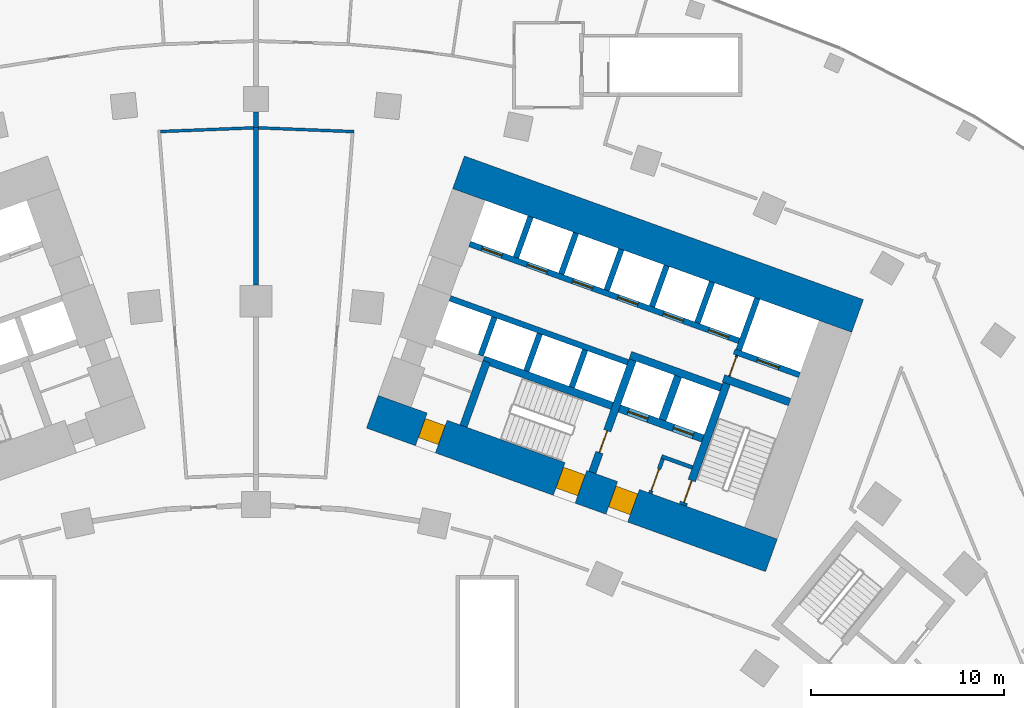
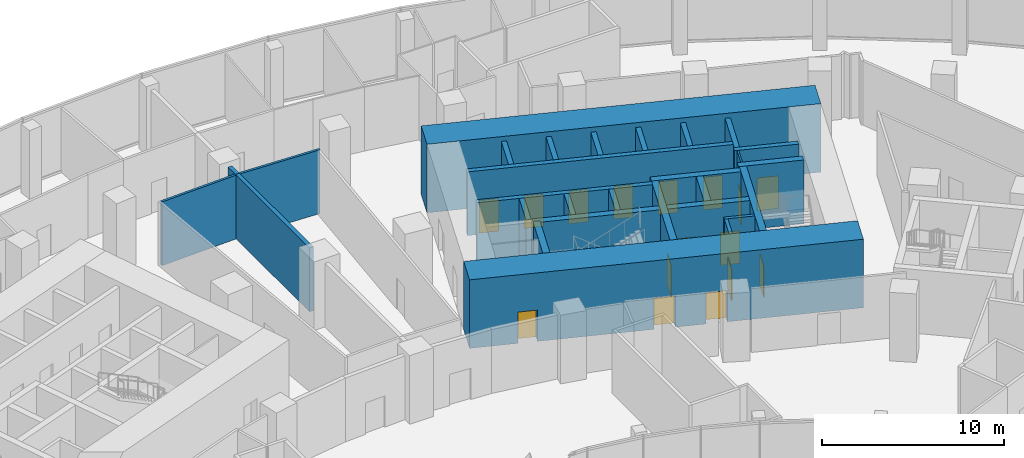
# One storey, part 27 of 33: 28 walls, 16 doors, 16 openings.
"""IFC4 building model written with IfcOpenShell, lengths in metres."""

from ifc_helpers import new_model, si_unit, direction, frame, frame_2d, origin, place, context, subcontext, project, spatial, rectangle, extrude, material, layer, layer_set, type_object, element, fill, save


model = new_model("IFC4")

# Units and contexts
model_context = context("Model", 3, precision=1e-05, world=origin(), true_north=direction((0.0, 1.0)))
body_context = subcontext(model_context, "Body", "Model", "MODEL_VIEW")
ifc_project = project(units=[si_unit("LENGTHUNIT", "METRE"), si_unit("AREAUNIT", "SQUARE_METRE"), si_unit("VOLUMEUNIT", "CUBIC_METRE"), si_unit("PLANEANGLEUNIT", "RADIAN"), si_unit("MASSUNIT", "GRAM", prefix="KILO")], contexts=[model_context])

# Site, building, storey
site_placement = place(None, origin())
site = spatial("IfcSite", under=ifc_project, at=site_placement, CompositionType="ELEMENT")
building_placement = place(site_placement, origin())
building = spatial("IfcBuilding", under=site, at=building_placement, Name="Stone Belt Terrace Tower", CompositionType="ELEMENT")
storey_placement = place(building_placement, frame((0.0, 0.0, 25.39990234375)))
storey = spatial("IfcBuildingStorey", under=building, at=storey_placement, Name="L05", CompositionType="ELEMENT", Elevation=25.39990234375)

# Wall
ifc_material_1 = material(Name="Concrete B30", Category="concrete")
ifc_layer_1 = layer(ifc_material_1, 0.25)
ifc_layer_set_1 = layer_set([ifc_layer_1], Name="Compartment wall 250")
wall_type_1 = type_object("IfcWallType", Name="Compartment wall 250", PredefinedType="SOLIDWALL", material=ifc_layer_set_1)
wall_1_placement = place(storey_placement, frame((0.0, 55.844970703125, 0.0), z_axis=(0.0, 0.0, 1.0), x_axis=(0.0, 1.0, 0.0)))
element("IfcWall", 1, at=wall_1_placement, inside=storey, type_object=wall_type_1, Name="Compartment wall L05 8", PredefinedType="SOLIDWALL", context=body_context, shape_type="SweptSolid", body=[
    extrude(rectangle(XDim=8.155029296875, YDim=0.25, at=frame_2d((4.07763671875, 0.0))), origin(), (0.0, 0.0, 1.0), 4.280029296875),
])

# Wall, opening, door
ifc_material_2 = material(Name="Plasterboard partition")
ifc_layer_2 = layer(ifc_material_2, 0.10009765625)
ifc_layer_set_2 = layer_set([ifc_layer_2], Name="Core partition 100")
wall_type_2 = type_object("IfcWallType", Name="Core partition 100", PredefinedType="PARTITIONING", material=ifc_layer_set_2)
wall_2_placement = place(storey_placement, frame((24.555908203125, 51.10400390625, 0.0), z_axis=(0.0, 0.0, 1.0), x_axis=(0.338621735342, 0.94092258999, 0.0)))
wall_2 = element("IfcWall", 2, at=wall_2_placement, inside=storey, type_object=wall_type_2, Name="Core B wall", PredefinedType="PARTITIONING", context=body_context, shape_type="SweptSolid", body=[
    extrude(rectangle(XDim=1.14990234375, YDim=0.10009765625, at=frame_2d((0.574951171875, 0.0))), origin(), (0.0, 0.0, 1.0), 4.280029296875),
])
opening_1_placement = place(wall_2_placement, frame((0.050048828125, 0.0, 0.0)))
opening_1 = element("IfcOpeningElement", 3, at=opening_1_placement, cuts=wall_2, Name="Opening L05-C10", PredefinedType="OPENING", context=body_context, shape_type="SweptSolid", body=[
    extrude(rectangle(XDim=1.0, YDim=2.10009765625, at=frame_2d((0.5, 1.050048828125))), frame((0.0, 0.06005859375, 0.0), z_axis=(0.0, -1.0, 0.0), x_axis=(1.0, 0.0, 0.0)), (0.0, 0.0, 1.0), 0.1201171875),
])
ifc_material_3 = material(Name="Timber door leaf", Category="wood")
door_type_1 = type_object("IfcDoorType", Name="Core room door 1000", OperationType="SINGLE_SWING_LEFT", PredefinedType="DOOR", material=ifc_material_3)
door_1_placement = place(opening_1_placement, origin())
door_1 = element("IfcDoor", 4, at=door_1_placement, inside=storey, type_object=door_type_1, Name="Service lift lobby door core B", OperationType="SINGLE_SWING_LEFT", OverallHeight=2.10009765625, OverallWidth=1.0, PredefinedType="DOOR", context=body_context, shape_type="SweptSolid", body=[
    extrude(rectangle(XDim=1.0, YDim=2.10009765625, at=frame_2d((0.5, 1.050048828125))), frame((0.0, 0.02490234375, 0.0), z_axis=(0.0, -1.0, 0.0), x_axis=(1.0, 0.0, 0.0)), (0.0, 0.0, 1.0), 0.050048828125),
])
fill(opening_1, door_1)

# Wall, openings, doors
ifc_material_4 = material(Name="Concrete B80", Category="concrete")
ifc_layer_3 = layer(ifc_material_4, 1.800048828125)
ifc_layer_set_3 = layer_set([ifc_layer_3], Name="Core wall 1800 B80")
wall_type_3 = type_object("IfcWallType", Name="Core wall 1800 B80", PredefinedType="SHEAR", material=ifc_layer_set_3)
wall_3_placement = place(storey_placement, frame((6.039306640625, 49.265380859375, 0.0), z_axis=(0.0, 0.0, 1.0), x_axis=(0.940921642213, -0.338624368902, 0.0)))
wall_3 = element("IfcWall", 5, at=wall_3_placement, inside=storey, type_object=wall_type_3, Name="Core B wall concave L05", PredefinedType="SHEAR", context=body_context, shape_type="SweptSolid", body=[
    extrude(rectangle(XDim=22.0, YDim=1.800048828125, at=frame_2d((11.0, 0.0))), origin(), (0.0, 0.0, 1.0), 4.60009765625),
])
opening_2_placement = place(wall_3_placement, frame((13.199951171875, 0.0, 0.0)))
opening_2 = element("IfcOpeningElement", 6, at=opening_2_placement, cuts=wall_3, Name="Opening L05-C14", PredefinedType="OPENING", context=body_context, shape_type="SweptSolid", body=[
    extrude(rectangle(XDim=1.199951171875, YDim=2.10009765625, at=frame_2d((0.60009765625, 1.050048828125))), frame((0.0, 0.909912109375, 0.0), z_axis=(0.0, -1.0, 0.0), x_axis=(1.0, 0.0, 0.0)), (0.0, 0.0, 1.0), 1.820068359375),
])
opening_3_placement = place(wall_3_placement, frame((10.300048828125, 0.0, 0.0)))
opening_3 = element("IfcOpeningElement", 7, at=opening_3_placement, cuts=wall_3, Name="Opening L05-C16", PredefinedType="OPENING", context=body_context, shape_type="SweptSolid", body=[
    extrude(rectangle(XDim=1.199951171875, YDim=2.10009765625, at=frame_2d((0.60009765625, 1.050048828125))), frame((0.0, 0.909912109375, 0.0), z_axis=(0.0, -1.0, 0.0), x_axis=(1.0, 0.0, 0.0)), (0.0, 0.0, 1.0), 1.820068359375),
])
opening_4_placement = place(wall_3_placement, frame((2.699951171875, 0.0, 0.0)))
opening_4 = element("IfcOpeningElement", 8, at=opening_4_placement, cuts=wall_3, Name="Opening L05-C18", PredefinedType="OPENING", context=body_context, shape_type="SweptSolid", body=[
    extrude(rectangle(XDim=1.10009765625, YDim=2.10009765625, at=frame_2d((0.550048828125, 1.050048828125))), frame((0.0, 0.909912109375, 0.0), z_axis=(0.0, -1.0, 0.0), x_axis=(1.0, 0.0, 0.0)), (0.0, 0.0, 1.0), 1.820068359375),
])
door_type_2 = type_object("IfcDoorType", Name="Core room door 1100", OperationType="SINGLE_SWING_LEFT", PredefinedType="DOOR", material=ifc_material_3)
door_2_placement = place(opening_4_placement, origin())
door_2 = element("IfcDoor", 9, at=door_2_placement, inside=storey, type_object=door_type_2, Name="Door to Cleaner's store core B", OperationType="SINGLE_SWING_LEFT", OverallHeight=2.10009765625, OverallWidth=1.10009765625, PredefinedType="DOOR", context=body_context, shape_type="SweptSolid", body=[
    extrude(rectangle(XDim=1.10009765625, YDim=2.10009765625, at=frame_2d((0.550048828125, 1.050048828125))), frame((0.0, 0.60498046875, 0.0), z_axis=(0.0, -1.0, 0.0), x_axis=(1.0, 0.0, 0.0)), (0.0, 0.0, 1.0), 1.050048828125),
])
fill(opening_4, door_2)
ifc_material_5 = material(Name="Steel door leaf", Category="steel")
door_type_3 = type_object("IfcDoorType", Name="Fire-fighting lobby door 1200", OperationType="SINGLE_SWING_LEFT", PredefinedType="DOOR", material=ifc_material_5)
door_3_placement = place(opening_2_placement, origin())
door_3 = element("IfcDoor", 10, at=door_3_placement, inside=storey, type_object=door_type_3, Name="Fire-fighting lobby door core B", OperationType="SINGLE_SWING_LEFT", OverallHeight=2.10009765625, OverallWidth=1.199951171875, PredefinedType="DOOR", context=body_context, shape_type="SweptSolid", body=[
    extrude(rectangle(XDim=1.199951171875, YDim=2.10009765625, at=frame_2d((0.60009765625, 1.050048828125))), frame((0.0, 0.655029296875, 0.0), z_axis=(0.0, -1.0, 0.0), x_axis=(1.0, 0.0, 0.0)), (0.0, 0.0, 1.0), 1.14990234375),
])
fill(opening_2, door_3)
door_type_4 = type_object("IfcDoorType", Name="Stair door 1200", OperationType="SINGLE_SWING_LEFT", PredefinedType="DOOR", material=ifc_material_5)
door_4_placement = place(opening_3_placement, origin())
door_4 = element("IfcDoor", 11, at=door_4_placement, inside=storey, type_object=door_type_4, Name="Stair 2 exit door core B", OperationType="SINGLE_SWING_RIGHT", OverallHeight=2.10009765625, OverallWidth=1.199951171875, PredefinedType="DOOR", context=body_context, shape_type="SweptSolid", body=[
    extrude(rectangle(XDim=1.199951171875, YDim=2.10009765625, at=frame_2d((0.60009765625, 1.050048828125))), frame((0.0, 0.655029296875, 0.0), z_axis=(0.0, -1.0, 0.0), x_axis=(1.0, 0.0, 0.0)), (0.0, 0.0, 1.0), 1.14990234375),
])
fill(opening_3, door_4)

# Walls
wall_4_placement = place(storey_placement, frame((10.509033203125, 61.685546875, 0.0), z_axis=(0.0, 0.0, 1.0), x_axis=(0.940922914687, -0.338620833112, 0.0)))
element("IfcWall", 12, at=wall_4_placement, inside=storey, type_object=wall_type_3, Name="Core B wall convex L05", PredefinedType="SHEAR", context=body_context, shape_type="SweptSolid", body=[
    extrude(rectangle(XDim=22.000244140625, YDim=1.800048828125, at=frame_2d((11.0, 0.0))), origin(), (0.0, 0.0, 1.0), 4.60009765625),
])
ifc_layer_4 = layer(ifc_material_4, 0.39990234375)
ifc_layer_set_4 = layer_set([ifc_layer_4], Name="Fire-fighting lift shaft wall 400")
wall_type_4 = type_object("IfcWallType", Name="Fire-fighting lift shaft wall 400", PredefinedType="SHEAR", material=ifc_layer_set_4)
wall_5_placement = place(storey_placement, frame((24.130615234375, 50.512939453125, 0.0), z_axis=(0.0, 0.0, 1.0), x_axis=(-0.94091168377, 0.338652038744, 0.0)))
element("IfcWall", 13, at=wall_5_placement, inside=storey, type_object=wall_type_4, Name="Core B wall", PredefinedType="SHEAR", context=body_context, shape_type="SweptSolid", body=[
    extrude(rectangle(XDim=5.000244140625, YDim=0.39990234375, at=frame_2d((2.5, 0.0))), origin(), (0.0, 0.0, 1.0), 4.280029296875),
])
wall_6_placement = place(storey_placement, frame((21.0859375, 48.845458984375, 0.0), z_axis=(0.0, 0.0, 1.0), x_axis=(0.338629416206, 0.940919825745, 0.0)))
element("IfcWall", 14, at=wall_6_placement, inside=storey, type_object=wall_type_4, Name="Core B wall", PredefinedType="SHEAR", context=body_context, shape_type="SweptSolid", body=[
    extrude(rectangle(XDim=2.400146484375, YDim=0.39990234375, at=frame_2d((1.2001953125, 0.0))), origin(), (0.0, 0.0, 1.0), 4.280029296875),
])
ifc_material_6 = material(Name="Fire-resistant glazing in steel frame", Category="steel")
ifc_layer_5 = layer(ifc_material_6, 0.25)
ifc_layer_set_5 = layer_set([ifc_layer_5], Name="Glazed compartment fire screen 250")
wall_type_5 = type_object("IfcWallType", Name="Glazed compartment fire screen 250", PredefinedType="PARTITIONING", material=ifc_layer_set_5)
wall_7_placement = place(storey_placement, frame((0.0, 64.0, 0.0), z_axis=(0.0, 0.0, 1.0), x_axis=(0.0, 1.0, 0.0)))
element("IfcWall", 15, at=wall_7_placement, inside=storey, type_object=wall_type_5, Name="Compartment fire screen L05 9", PredefinedType="PARTITIONING", context=body_context, shape_type="SweptSolid", body=[
    extrude(rectangle(XDim=0.81884765625, YDim=0.25, at=frame_2d((0.409423828125, 0.0))), origin(), (0.0, 0.0, 1.0), 4.280029296875),
])

# Wall, opening, door
ifc_layer_6 = layer(ifc_material_4, 0.300048828125)
ifc_layer_set_6 = layer_set([ifc_layer_6], Name="Lift shaft wall 300")
wall_type_6 = type_object("IfcWallType", Name="Lift shaft wall 300", PredefinedType="SHEAR", material=ifc_layer_set_6)
wall_8_placement = place(storey_placement, frame((28.195068359375, 51.17578125, 0.0), z_axis=(0.0, 0.0, 1.0), x_axis=(-0.940901243567, 0.338681044427, 0.0)))
wall_8 = element("IfcWall", 16, at=wall_8_placement, inside=storey, type_object=wall_type_6, Name="Core B wall", PredefinedType="SHEAR", context=body_context, shape_type="SweptSolid", body=[
    extrude(rectangle(XDim=3.599853515625, YDim=0.300048828125, at=frame_2d((1.7998046875, 0.0))), origin(), (0.0, 0.0, 1.0), 4.280029296875),
])
opening_5_placement = place(wall_8_placement, frame((1.1201171875, 0.0, 0.0)))
opening_5 = element("IfcOpeningElement", 17, at=opening_5_placement, cuts=wall_8, Name="Opening L05-LD18", PredefinedType="OPENING", context=body_context, shape_type="SweptSolid", body=[
    extrude(rectangle(XDim=1.199951171875, YDim=2.199951171875, at=frame_2d((0.60009765625, 1.10009765625))), frame((0.0, 0.159912109375, 0.0), z_axis=(0.0, -1.0, 0.0), x_axis=(1.0, 0.0, 0.0)), (0.0, 0.0, 1.0), 0.320068359375),
])
ifc_material_7 = material(Name="Stainless steel door leaf", Category="steel")
door_type_5 = type_object("IfcDoorType", Name="Landing door 1200", OperationType="SLIDING_TO_LEFT", PredefinedType="DOOR", material=ifc_material_7)
door_5_placement = place(opening_5_placement, origin())
door_5 = element("IfcDoor", 18, at=door_5_placement, inside=storey, type_object=door_type_5, Name="Landing door SV1 core B", OperationType="SLIDING_TO_LEFT", OverallHeight=2.199951171875, OverallWidth=1.199951171875, PredefinedType="DOOR", context=body_context, shape_type="SweptSolid", body=[
    extrude(rectangle(XDim=1.199951171875, YDim=2.199951171875, at=frame_2d((0.60009765625, 1.10009765625))), frame((0.0, 0.02490234375, 0.0), z_axis=(0.0, -1.0, 0.0), x_axis=(1.0, 0.0, 0.0)), (0.0, 0.0, 1.0), 0.050048828125),
])
fill(opening_5, door_5)

# Wall
wall_9_placement = place(storey_placement, frame((25.046875, 52.46826171875, 0.0), z_axis=(0.0, 0.0, 1.0), x_axis=(0.338549588058, 0.940948551423, 0.0)))
element("IfcWall", 19, at=wall_9_placement, inside=storey, type_object=wall_type_6, Name="Core B wall", PredefinedType="SHEAR", context=body_context, shape_type="SweptSolid", body=[
    extrude(rectangle(XDim=2.849853515625, YDim=0.300048828125, at=frame_2d((1.4248046875, 0.0))), origin(), (0.0, 0.0, 1.0), 4.280029296875),
])

# Wall, openings, doors
wall_10_placement = place(storey_placement, frame((25.05810546875, 52.9423828125, 0.0), z_axis=(0.0, 0.0, 1.0), x_axis=(-0.940918215764, 0.338633889685, 0.0)))
wall_10 = element("IfcWall", 20, at=wall_10_placement, inside=storey, type_object=wall_type_6, Name="Core B wall", PredefinedType="SHEAR", context=body_context, shape_type="SweptSolid", body=[
    extrude(rectangle(XDim=14.850341796875, YDim=0.300048828125, at=frame_2d((7.42529296875, 0.0))), origin(), (0.0, 0.0, 1.0), 4.280029296875),
])
opening_6_placement = place(wall_10_placement, frame((0.570068359375, 0.0, 0.0)))
opening_6 = element("IfcOpeningElement", 21, at=opening_6_placement, cuts=wall_10, Name="Opening L05-LD10", PredefinedType="OPENING", context=body_context, shape_type="SweptSolid", body=[
    extrude(rectangle(XDim=1.10009765625, YDim=2.199951171875, at=frame_2d((0.550048828125, 1.10009765625))), frame((0.0, 0.159912109375, 0.0), z_axis=(0.0, -1.0, 0.0), x_axis=(1.0, 0.0, 0.0)), (0.0, 0.0, 1.0), 0.320068359375),
])
opening_7_placement = place(wall_10_placement, frame((3.070068359375, 0.0, 0.0)))
opening_7 = element("IfcOpeningElement", 22, at=opening_7_placement, cuts=wall_10, Name="Opening L05-LD11", PredefinedType="OPENING", context=body_context, shape_type="SweptSolid", body=[
    extrude(rectangle(XDim=1.10009765625, YDim=2.199951171875, at=frame_2d((0.550048828125, 1.10009765625))), frame((0.0, 0.159912109375, 0.0), z_axis=(0.0, -1.0, 0.0), x_axis=(1.0, 0.0, 0.0)), (0.0, 0.0, 1.0), 0.320068359375),
])
opening_8_placement = place(wall_10_placement, frame((5.570068359375, 0.0, 0.0)))
opening_8 = element("IfcOpeningElement", 23, at=opening_8_placement, cuts=wall_10, Name="Opening L05-LD12", PredefinedType="OPENING", context=body_context, shape_type="SweptSolid", body=[
    extrude(rectangle(XDim=1.10009765625, YDim=2.199951171875, at=frame_2d((0.550048828125, 1.10009765625))), frame((0.0, 0.159912109375, 0.0), z_axis=(0.0, -1.0, 0.0), x_axis=(1.0, 0.0, 0.0)), (0.0, 0.0, 1.0), 0.320068359375),
])
opening_9_placement = place(wall_10_placement, frame((8.070068359375, 0.0, 0.0)))
opening_9 = element("IfcOpeningElement", 24, at=opening_9_placement, cuts=wall_10, Name="Opening L05-LD13", PredefinedType="OPENING", context=body_context, shape_type="SweptSolid", body=[
    extrude(rectangle(XDim=1.10009765625, YDim=2.199951171875, at=frame_2d((0.550048828125, 1.10009765625))), frame((0.0, 0.159912109375, 0.0), z_axis=(0.0, -1.0, 0.0), x_axis=(1.0, 0.0, 0.0)), (0.0, 0.0, 1.0), 0.320068359375),
])
opening_10_placement = place(wall_10_placement, frame((10.570068359375, 0.0, 0.0)))
opening_10 = element("IfcOpeningElement", 25, at=opening_10_placement, cuts=wall_10, Name="Opening L05-LD14", PredefinedType="OPENING", context=body_context, shape_type="SweptSolid", body=[
    extrude(rectangle(XDim=1.10009765625, YDim=2.199951171875, at=frame_2d((0.550048828125, 1.10009765625))), frame((0.0, 0.159912109375, 0.0), z_axis=(0.0, -1.0, 0.0), x_axis=(1.0, 0.0, 0.0)), (0.0, 0.0, 1.0), 0.320068359375),
])
opening_11_placement = place(wall_10_placement, frame((13.070068359375, 0.0, 0.0)))
opening_11 = element("IfcOpeningElement", 26, at=opening_11_placement, cuts=wall_10, Name="Opening L05-LD15", PredefinedType="OPENING", context=body_context, shape_type="SweptSolid", body=[
    extrude(rectangle(XDim=1.10009765625, YDim=2.199951171875, at=frame_2d((0.550048828125, 1.10009765625))), frame((0.0, 0.159912109375, 0.0), z_axis=(0.0, -1.0, 0.0), x_axis=(1.0, 0.0, 0.0)), (0.0, 0.0, 1.0), 0.320068359375),
])
door_type_6 = type_object("IfcDoorType", Name="Landing door 1100", OperationType="SLIDING_TO_LEFT", PredefinedType="DOOR", material=ifc_material_7)
door_6_placement = place(opening_6_placement, origin())
door_6 = element("IfcDoor", 27, at=door_6_placement, inside=storey, type_object=door_type_6, Name="Landing door LR1 core B", OperationType="SLIDING_TO_LEFT", OverallHeight=2.199951171875, OverallWidth=1.10009765625, PredefinedType="DOOR", context=body_context, shape_type="SweptSolid", body=[
    extrude(rectangle(XDim=1.10009765625, YDim=2.199951171875, at=frame_2d((0.550048828125, 1.10009765625))), frame((0.0, 0.02490234375, 0.0), z_axis=(0.0, -1.0, 0.0), x_axis=(1.0, 0.0, 0.0)), (0.0, 0.0, 1.0), 0.050048828125),
])
fill(opening_6, door_6)
door_7_placement = place(opening_7_placement, origin())
door_7 = element("IfcDoor", 28, at=door_7_placement, inside=storey, type_object=door_type_6, Name="Landing door LR2 core B", OperationType="SLIDING_TO_LEFT", OverallHeight=2.199951171875, OverallWidth=1.10009765625, PredefinedType="DOOR", context=body_context, shape_type="SweptSolid", body=[
    extrude(rectangle(XDim=1.10009765625, YDim=2.199951171875, at=frame_2d((0.550048828125, 1.10009765625))), frame((0.0, 0.02490234375, 0.0), z_axis=(0.0, -1.0, 0.0), x_axis=(1.0, 0.0, 0.0)), (0.0, 0.0, 1.0), 0.050048828125),
])
fill(opening_7, door_7)
door_8_placement = place(opening_8_placement, origin())
door_8 = element("IfcDoor", 29, at=door_8_placement, inside=storey, type_object=door_type_6, Name="Landing door LR3 core B", OperationType="SLIDING_TO_LEFT", OverallHeight=2.199951171875, OverallWidth=1.10009765625, PredefinedType="DOOR", context=body_context, shape_type="SweptSolid", body=[
    extrude(rectangle(XDim=1.10009765625, YDim=2.199951171875, at=frame_2d((0.550048828125, 1.10009765625))), frame((0.0, 0.02490234375, 0.0), z_axis=(0.0, -1.0, 0.0), x_axis=(1.0, 0.0, 0.0)), (0.0, 0.0, 1.0), 0.050048828125),
])
fill(opening_8, door_8)
door_9_placement = place(opening_9_placement, origin())
door_9 = element("IfcDoor", 30, at=door_9_placement, inside=storey, type_object=door_type_6, Name="Landing door LR4 core B", OperationType="SLIDING_TO_LEFT", OverallHeight=2.199951171875, OverallWidth=1.10009765625, PredefinedType="DOOR", context=body_context, shape_type="SweptSolid", body=[
    extrude(rectangle(XDim=1.10009765625, YDim=2.199951171875, at=frame_2d((0.550048828125, 1.10009765625))), frame((0.0, 0.02490234375, 0.0), z_axis=(0.0, -1.0, 0.0), x_axis=(1.0, 0.0, 0.0)), (0.0, 0.0, 1.0), 0.050048828125),
])
fill(opening_9, door_9)
door_10_placement = place(opening_10_placement, origin())
door_10 = element("IfcDoor", 31, at=door_10_placement, inside=storey, type_object=door_type_6, Name="Landing door LR5 core B", OperationType="SLIDING_TO_LEFT", OverallHeight=2.199951171875, OverallWidth=1.10009765625, PredefinedType="DOOR", context=body_context, shape_type="SweptSolid", body=[
    extrude(rectangle(XDim=1.10009765625, YDim=2.199951171875, at=frame_2d((0.550048828125, 1.10009765625))), frame((0.0, 0.02490234375, 0.0), z_axis=(0.0, -1.0, 0.0), x_axis=(1.0, 0.0, 0.0)), (0.0, 0.0, 1.0), 0.050048828125),
])
fill(opening_10, door_10)
door_11_placement = place(opening_11_placement, origin())
door_11 = element("IfcDoor", 32, at=door_11_placement, inside=storey, type_object=door_type_6, Name="Landing door LR6 core B", OperationType="SLIDING_TO_LEFT", OverallHeight=2.199951171875, OverallWidth=1.10009765625, PredefinedType="DOOR", context=body_context, shape_type="SweptSolid", body=[
    extrude(rectangle(XDim=1.10009765625, YDim=2.199951171875, at=frame_2d((0.550048828125, 1.10009765625))), frame((0.0, 0.02490234375, 0.0), z_axis=(0.0, -1.0, 0.0), x_axis=(1.0, 0.0, 0.0)), (0.0, 0.0, 1.0), 0.050048828125),
])
fill(opening_11, door_11)

# Walls
wall_11_placement = place(storey_placement, frame((22.897705078125, 53.87939453125, 0.0), z_axis=(0.0, 0.0, 1.0), x_axis=(0.338535034312, 0.940953787677, 0.0)))
element("IfcWall", 33, at=wall_11_placement, inside=storey, type_object=wall_type_6, Name="Core B wall", PredefinedType="SHEAR", context=body_context, shape_type="SweptSolid", body=[
    extrude(rectangle(XDim=2.25, YDim=0.300048828125, at=frame_2d((1.125, 0.0))), origin(), (0.0, 0.0, 1.0), 4.280029296875),
])
wall_12_placement = place(storey_placement, frame((19.29052734375, 51.829833984375, 0.0), z_axis=(0.0, 0.0, 1.0), x_axis=(-0.940925833398, 0.338612722803, 0.0)))
element("IfcWall", 34, at=wall_12_placement, inside=storey, type_object=wall_type_6, Name="Core B wall", PredefinedType="SHEAR", context=body_context, shape_type="SweptSolid", body=[
    extrude(rectangle(XDim=9.7998046875, YDim=0.300048828125, at=frame_2d((4.89990234375, 0.0))), origin(), (0.0, 0.0, 1.0), 4.280029296875),
])
wall_13_placement = place(storey_placement, frame((20.54541015625, 54.72607421875, 0.0), z_axis=(0.0, 0.0, 1.0), x_axis=(0.338569601369, 0.940941350472, 0.0)))
element("IfcWall", 35, at=wall_13_placement, inside=storey, type_object=wall_type_6, Name="Core B wall", PredefinedType="SHEAR", context=body_context, shape_type="SweptSolid", body=[
    extrude(rectangle(XDim=2.249755859375, YDim=0.300048828125, at=frame_2d((1.125, 0.0))), origin(), (0.0, 0.0, 1.0), 4.280029296875),
])
wall_14_placement = place(storey_placement, frame((16.38134765625, 50.53857421875, 0.0), z_axis=(0.0, 0.0, 1.0), x_axis=(0.338681515556, 0.940901073982, 0.0)))
element("IfcWall", 36, at=wall_14_placement, inside=storey, type_object=wall_type_6, Name="Core B wall", PredefinedType="SHEAR", context=body_context, shape_type="SweptSolid", body=[
    extrude(rectangle(XDim=2.050048828125, YDim=0.300048828125, at=frame_2d((1.02490234375, 0.0))), origin(), (0.0, 0.0, 1.0), 4.280029296875),
])
wall_15_placement = place(storey_placement, frame((18.193115234375, 55.572509765625, 0.0), z_axis=(0.0, 0.0, 1.0), x_axis=(0.338535034312, 0.940953787677, 0.0)))
element("IfcWall", 37, at=wall_15_placement, inside=storey, type_object=wall_type_6, Name="Core B wall", PredefinedType="SHEAR", context=body_context, shape_type="SweptSolid", body=[
    extrude(rectangle(XDim=2.25, YDim=0.300048828125, at=frame_2d((1.125, 0.0))), origin(), (0.0, 0.0, 1.0), 4.280029296875),
])
wall_16_placement = place(storey_placement, frame((14.029052734375, 51.38525390625, 0.0), z_axis=(0.0, 0.0, 1.0), x_axis=(0.338681515556, 0.940901073982, 0.0)))
element("IfcWall", 38, at=wall_16_placement, inside=storey, type_object=wall_type_6, Name="Core B wall", PredefinedType="SHEAR", context=body_context, shape_type="SweptSolid", body=[
    extrude(rectangle(XDim=2.050048828125, YDim=0.300048828125, at=frame_2d((1.02490234375, 0.0))), origin(), (0.0, 0.0, 1.0), 4.280029296875),
])
wall_17_placement = place(storey_placement, frame((15.8408203125, 56.419189453125, 0.0), z_axis=(0.0, 0.0, 1.0), x_axis=(0.338569601369, 0.940941350472, 0.0)))
element("IfcWall", 39, at=wall_17_placement, inside=storey, type_object=wall_type_6, Name="Core B wall", PredefinedType="SHEAR", context=body_context, shape_type="SweptSolid", body=[
    extrude(rectangle(XDim=2.249755859375, YDim=0.300048828125, at=frame_2d((1.125, 0.0))), origin(), (0.0, 0.0, 1.0), 4.280029296875),
])
wall_18_placement = place(storey_placement, frame((11.659912109375, 52.184814453125, 0.0), z_axis=(0.0, 0.0, 1.0), x_axis=(0.338670064856, 0.940905195634, 0.0)))
element("IfcWall", 40, at=wall_18_placement, inside=storey, type_object=wall_type_6, Name="Core B wall", PredefinedType="SHEAR", context=body_context, shape_type="SweptSolid", body=[
    extrude(rectangle(XDim=2.099853515625, YDim=0.300048828125, at=frame_2d((1.0498046875, 0.0))), origin(), (0.0, 0.0, 1.0), 4.280029296875),
])
wall_19_placement = place(storey_placement, frame((13.48828125, 57.265625, 0.0), z_axis=(0.0, 0.0, 1.0), x_axis=(0.338631098537, 0.940919220286, 0.0)))
element("IfcWall", 41, at=wall_19_placement, inside=storey, type_object=wall_type_6, Name="Core B wall", PredefinedType="SHEAR", context=body_context, shape_type="SweptSolid", body=[
    extrude(rectangle(XDim=2.250244140625, YDim=0.300048828125, at=frame_2d((1.125, 0.0))), origin(), (0.0, 0.0, 1.0), 4.280029296875),
])
ifc_material_8 = material(Name="Gypsum board on steel stud partition", Category="steel")
ifc_layer_7 = layer(ifc_material_8, 0.14990234375)
ifc_layer_set_7 = layer_set([ifc_layer_7], Name="Podium partition 150")
wall_type_7 = type_object("IfcWallType", Name="Podium partition 150", PredefinedType="PARTITIONING", material=ifc_layer_set_7)
wall_20_placement = place(storey_placement, frame((-4.945068359375, 63.802978515625, 0.0), z_axis=(0.0, 0.0, 1.0), x_axis=(0.999206446914, 0.039830596856, 0.0)))
element("IfcWall", 42, at=wall_20_placement, inside=storey, type_object=wall_type_7, Name="Podium partition 150", PredefinedType="PARTITIONING", context=body_context, shape_type="SweptSolid", body=[
    extrude(rectangle(XDim=4.823974609375, YDim=0.14990234375, at=frame_2d((2.412109375, 0.0))), origin(), (0.0, 0.0, 1.0), 4.280029296875),
])
wall_21_placement = place(storey_placement, frame((0.125, 63.9951171875, 0.0), z_axis=(0.0, 0.0, 1.0), x_axis=(0.999207375355, -0.039807298787, 0.0)))
element("IfcWall", 43, at=wall_21_placement, inside=storey, type_object=wall_type_7, Name="Podium partition 150", PredefinedType="PARTITIONING", context=body_context, shape_type="SweptSolid", body=[
    extrude(rectangle(XDim=4.973876953125, YDim=0.14990234375, at=frame_2d((2.48681640625, 0.0))), origin(), (0.0, 0.0, 1.0), 4.280029296875),
])
ifc_material_9 = material(Name="Concrete masonry block", Category="masonry")
ifc_layer_8 = layer(ifc_material_9, 0.199951171875)
ifc_layer_set_8 = layer_set([ifc_layer_8], Name="Rated lobby wall 200")
wall_type_8 = type_object("IfcWallType", Name="Rated lobby wall 200", PredefinedType="PARTITIONING", material=ifc_layer_set_8)
wall_22_placement = place(storey_placement, frame((22.640625, 46.373046875, 0.0), z_axis=(0.0, 0.0, 1.0), x_axis=(-0.940966110313, 0.338500781747, 0.0)))
element("IfcWall", 44, at=wall_22_placement, inside=storey, type_object=wall_type_8, Name="Core B wall", PredefinedType="PARTITIONING", context=body_context, shape_type="SweptSolid", body=[
    extrude(rectangle(XDim=1.699951171875, YDim=0.199951171875, at=frame_2d((0.85009765625, 0.0))), origin(), (0.0, 0.0, 1.0), 4.280029296875),
])

# Wall, opening, door
wall_23_placement = place(storey_placement, frame((20.4580078125, 45.032958984375, 0.0), z_axis=(0.0, 0.0, 1.0), x_axis=(0.338573865316, 0.940939816208, 0.0)))
wall_23 = element("IfcWall", 45, at=wall_23_placement, inside=storey, type_object=wall_type_8, Name="Core B wall", PredefinedType="PARTITIONING", context=body_context, shape_type="SweptSolid", body=[
    extrude(rectangle(XDim=1.900146484375, YDim=0.199951171875, at=frame_2d((0.9501953125, 0.0))), origin(), (0.0, 0.0, 1.0), 4.280029296875),
])
opening_12_placement = place(wall_23_placement, frame((0.14990234375, 0.0, 0.0)))
opening_12 = element("IfcOpeningElement", 46, at=opening_12_placement, cuts=wall_23, Name="Opening L05-C13", PredefinedType="OPENING", context=body_context, shape_type="SweptSolid", body=[
    extrude(rectangle(XDim=1.199951171875, YDim=2.10009765625, at=frame_2d((0.60009765625, 1.050048828125))), frame((0.0, 0.10986328125, 0.0), z_axis=(0.0, -1.0, 0.0), x_axis=(1.0, 0.0, 0.0)), (0.0, 0.0, 1.0), 0.219970703125),
])
door_12_placement = place(opening_12_placement, origin())
door_12 = element("IfcDoor", 47, at=door_12_placement, inside=storey, type_object=door_type_4, Name="Stair airlock door core B", OperationType="SINGLE_SWING_LEFT", OverallHeight=2.10009765625, OverallWidth=1.199951171875, PredefinedType="DOOR", context=body_context, shape_type="SweptSolid", body=[
    extrude(rectangle(XDim=1.199951171875, YDim=2.10009765625, at=frame_2d((0.60009765625, 1.050048828125))), frame((0.0, 0.02490234375, 0.0), z_axis=(0.0, -1.0, 0.0), x_axis=(1.0, 0.0, 0.0)), (0.0, 0.0, 1.0), 0.050048828125),
])
fill(opening_12, door_12)

# Wall
ifc_layer_9 = layer(ifc_material_4, 0.39990234375)
ifc_layer_set_9 = layer_set([ifc_layer_9], Name="Stair enclosure wall 400")
wall_type_9 = type_object("IfcWallType", Name="Stair enclosure wall 400", PredefinedType="SHEAR", material=ifc_layer_set_9)
wall_24_placement = place(storey_placement, frame((27.687255859375, 49.764404296875, 0.0), z_axis=(0.0, 0.0, 1.0), x_axis=(-0.940918954884, 0.338631835981, 0.0)))
element("IfcWall", 48, at=wall_24_placement, inside=storey, type_object=wall_type_9, Name="Core B wall", PredefinedType="SHEAR", context=body_context, shape_type="SweptSolid", body=[
    extrude(rectangle(XDim=3.650146484375, YDim=0.39990234375, at=frame_2d((1.8251953125, 0.0))), origin(), (0.0, 0.0, 1.0), 4.280029296875),
])

# Wall, opening, door
wall_25_placement = place(storey_placement, frame((22.151611328125, 44.42333984375, 0.0), z_axis=(0.0, 0.0, 1.0), x_axis=(0.338625272931, 0.940921316866, 0.0)))
wall_25 = element("IfcWall", 49, at=wall_25_placement, inside=storey, type_object=wall_type_9, Name="Core B wall", PredefinedType="SHEAR", context=body_context, shape_type="SweptSolid", body=[
    extrude(rectangle(XDim=6.699951171875, YDim=0.39990234375, at=frame_2d((3.35009765625, 0.0))), origin(), (0.0, 0.0, 1.0), 4.280029296875),
])
opening_13_placement = place(wall_25_placement, frame((0.14990234375, 0.0, 0.0)))
opening_13 = element("IfcOpeningElement", 50, at=opening_13_placement, cuts=wall_25, Name="Opening L05-C12", PredefinedType="OPENING", context=body_context, shape_type="SweptSolid", body=[
    extrude(rectangle(XDim=1.199951171875, YDim=2.10009765625, at=frame_2d((0.60009765625, 1.050048828125))), frame((0.0, 0.2099609375, 0.0), z_axis=(0.0, -1.0, 0.0), x_axis=(1.0, 0.0, 0.0)), (0.0, 0.0, 1.0), 0.419921875),
])
door_13_placement = place(opening_13_placement, origin())
door_13 = element("IfcDoor", 51, at=door_13_placement, inside=storey, type_object=door_type_4, Name="Stair 1 door core B", OperationType="SINGLE_SWING_LEFT", OverallHeight=2.10009765625, OverallWidth=1.199951171875, PredefinedType="DOOR", context=body_context, shape_type="SweptSolid", body=[
    extrude(rectangle(XDim=1.199951171875, YDim=2.10009765625, at=frame_2d((0.60009765625, 1.050048828125))), frame((0.0, 0.02490234375, 0.0), z_axis=(0.0, -1.0, 0.0), x_axis=(1.0, 0.0, 0.0)), (0.0, 0.0, 1.0), 0.050048828125),
])
fill(opening_13, door_13)

# Wall, openings, doors
wall_26_placement = place(storey_placement, frame((23.182373046875, 47.87841796875, 0.0), z_axis=(0.0, 0.0, 1.0), x_axis=(-0.940921101762, 0.338625870628, 0.0)))
wall_26 = element("IfcWall", 52, at=wall_26_placement, inside=storey, type_object=wall_type_9, Name="Core B wall", PredefinedType="SHEAR", context=body_context, shape_type="SweptSolid", body=[
    extrude(rectangle(XDim=12.10009765625, YDim=0.39990234375, at=frame_2d((6.050048828125, 0.0))), origin(), (0.0, 0.0, 1.0), 4.280029296875),
])
opening_14_placement = place(wall_26_placement, frame((0.52001953125, 0.0, 0.0)))
opening_14 = element("IfcOpeningElement", 53, at=opening_14_placement, cuts=wall_26, Name="Opening L05-LD16", PredefinedType="OPENING", context=body_context, shape_type="SweptSolid", body=[
    extrude(rectangle(XDim=1.10009765625, YDim=2.199951171875, at=frame_2d((0.550048828125, 1.10009765625))), frame((0.0, 0.2099609375, 0.0), z_axis=(0.0, -1.0, 0.0), x_axis=(1.0, 0.0, 0.0)), (0.0, 0.0, 1.0), 0.419921875),
])
opening_15_placement = place(wall_26_placement, frame((3.02001953125, 0.0, 0.0)))
opening_15 = element("IfcOpeningElement", 54, at=opening_15_placement, cuts=wall_26, Name="Opening L05-LD17", PredefinedType="OPENING", context=body_context, shape_type="SweptSolid", body=[
    extrude(rectangle(XDim=1.10009765625, YDim=2.199951171875, at=frame_2d((0.550048828125, 1.10009765625))), frame((0.0, 0.2099609375, 0.0), z_axis=(0.0, -1.0, 0.0), x_axis=(1.0, 0.0, 0.0)), (0.0, 0.0, 1.0), 0.419921875),
])
door_14_placement = place(opening_14_placement, origin())
door_14 = element("IfcDoor", 55, at=door_14_placement, inside=storey, type_object=door_type_6, Name="Landing door FF1 core B", OperationType="SLIDING_TO_LEFT", OverallHeight=2.199951171875, OverallWidth=1.10009765625, PredefinedType="DOOR", context=body_context, shape_type="SweptSolid", body=[
    extrude(rectangle(XDim=1.10009765625, YDim=2.199951171875, at=frame_2d((0.550048828125, 1.10009765625))), frame((0.0, 0.02490234375, 0.0), z_axis=(0.0, -1.0, 0.0), x_axis=(1.0, 0.0, 0.0)), (0.0, 0.0, 1.0), 0.050048828125),
])
fill(opening_14, door_14)
door_15_placement = place(opening_15_placement, origin())
door_15 = element("IfcDoor", 56, at=door_15_placement, inside=storey, type_object=door_type_6, Name="Landing door FF2 core B", OperationType="SLIDING_TO_LEFT", OverallHeight=2.199951171875, OverallWidth=1.10009765625, PredefinedType="DOOR", context=body_context, shape_type="SweptSolid", body=[
    extrude(rectangle(XDim=1.10009765625, YDim=2.199951171875, at=frame_2d((0.550048828125, 1.10009765625))), frame((0.0, 0.02490234375, 0.0), z_axis=(0.0, -1.0, 0.0), x_axis=(1.0, 0.0, 0.0)), (0.0, 0.0, 1.0), 0.050048828125),
])
fill(opening_15, door_15)

# Wall, opening, door
wall_27_placement = place(storey_placement, frame((17.447021484375, 46.116455078125, 0.0), z_axis=(0.0, 0.0, 1.0), x_axis=(0.33860791464, 0.940927563707, 0.0)))
wall_27 = element("IfcWall", 57, at=wall_27_placement, inside=storey, type_object=wall_type_9, Name="Core B wall", PredefinedType="SHEAR", context=body_context, shape_type="SweptSolid", body=[
    extrude(rectangle(XDim=6.199951171875, YDim=0.39990234375, at=frame_2d((3.10009765625, 0.0))), origin(), (0.0, 0.0, 1.0), 4.280029296875),
])
opening_16_placement = place(wall_27_placement, frame((1.10009765625, 0.0, 0.0)))
opening_16 = element("IfcOpeningElement", 58, at=opening_16_placement, cuts=wall_27, Name="Opening L05-C15", PredefinedType="OPENING", context=body_context, shape_type="SweptSolid", body=[
    extrude(rectangle(XDim=1.199951171875, YDim=2.10009765625, at=frame_2d((0.60009765625, 1.050048828125))), frame((0.0, 0.2099609375, 0.0), z_axis=(0.0, -1.0, 0.0), x_axis=(1.0, 0.0, 0.0)), (0.0, 0.0, 1.0), 0.419921875),
])
door_16_placement = place(opening_16_placement, origin())
door_16 = element("IfcDoor", 59, at=door_16_placement, inside=storey, type_object=door_type_4, Name="Stair 2 door core B", OperationType="SINGLE_SWING_LEFT", OverallHeight=2.10009765625, OverallWidth=1.199951171875, PredefinedType="DOOR", context=body_context, shape_type="SweptSolid", body=[
    extrude(rectangle(XDim=1.199951171875, YDim=2.10009765625, at=frame_2d((0.60009765625, 1.050048828125))), frame((0.0, 0.02490234375, 0.0), z_axis=(0.0, -1.0, 0.0), x_axis=(1.0, 0.0, 0.0)), (0.0, 0.0, 1.0), 0.050048828125),
])
fill(opening_16, door_16)

# Wall
wall_28_placement = place(storey_placement, frame((10.766357421875, 48.520751953125, 0.0), z_axis=(0.0, 0.0, 1.0), x_axis=(0.338626928157, 0.94092072117, 0.0)))
element("IfcWall", 60, at=wall_28_placement, inside=storey, type_object=wall_type_9, Name="Core B wall", PredefinedType="SHEAR", context=body_context, shape_type="SweptSolid", body=[
    extrude(rectangle(XDim=3.550048828125, YDim=0.39990234375, at=frame_2d((1.77490234375, 0.0))), origin(), (0.0, 0.0, 1.0), 4.280029296875),
])

save(model, "model.ifc")
